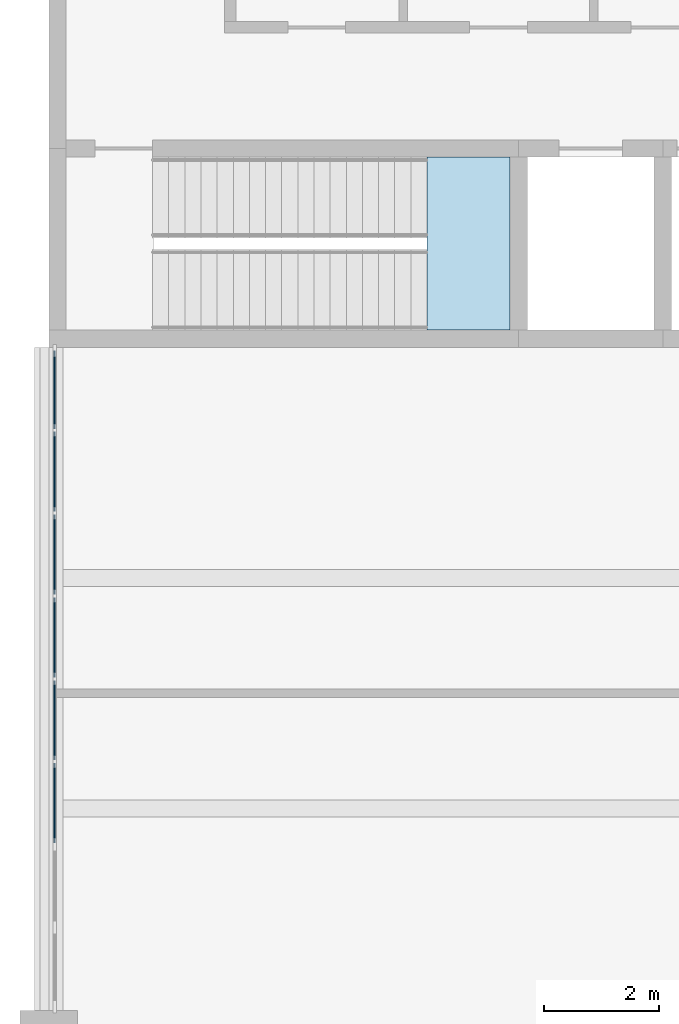
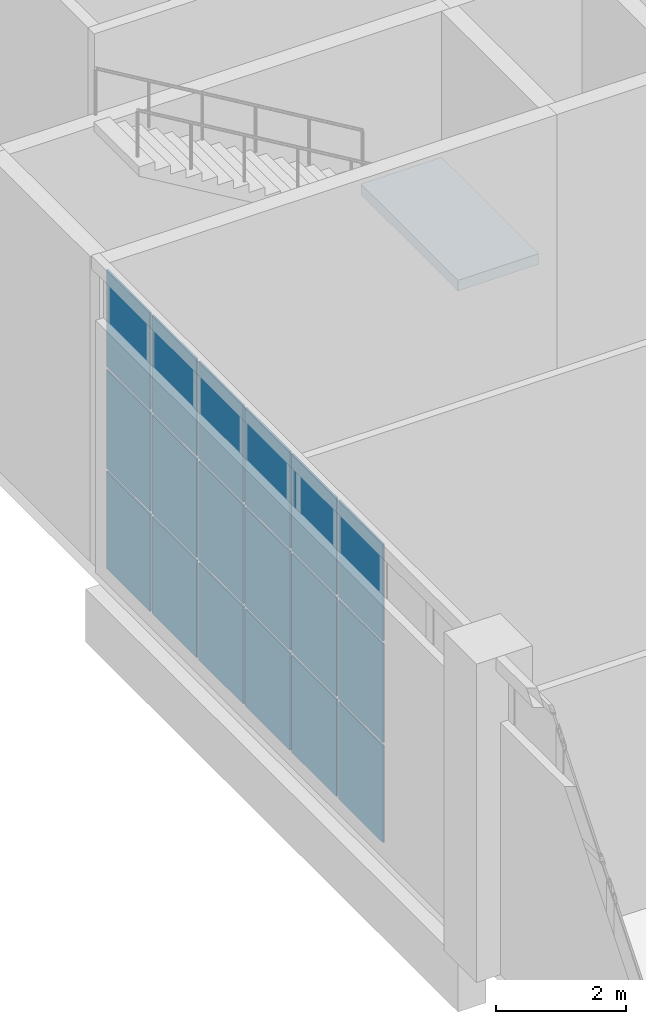
# One storey, part 43 of 72: 18 plates, 1 slab, 2 elements without a shape of their own.
"""IFC4 building model written with IfcOpenShell, lengths in metres."""

from ifc_helpers import new_model, si_unit, direction, frame, origin, origin_2d, place, context, subcontext, project, spatial, polyline, rectangle, outline, extrude, material, layer, layer_set, type_object, element, aggregate, save


model = new_model("IFC4")

# Units and contexts
model_context = context("Model", 3, precision=1e-05, world=origin(), true_north=direction((0.0, 1.0)))
body_context = subcontext(model_context, "Body", "Model", "MODEL_VIEW")
ifc_project = project(units=[si_unit("LENGTHUNIT", "METRE"), si_unit("AREAUNIT", "SQUARE_METRE"), si_unit("VOLUMEUNIT", "CUBIC_METRE"), si_unit("PLANEANGLEUNIT", "RADIAN"), si_unit("MASSUNIT", "GRAM", prefix="KILO")], contexts=[model_context])

# Site, building, storey
site_placement = place(None, origin())
site = spatial("IfcSite", under=ifc_project, at=site_placement, CompositionType="ELEMENT")
building_placement = place(site_placement, origin())
building = spatial("IfcBuilding", under=site, at=building_placement, Name="Lilac Gate Convention Centre", CompositionType="ELEMENT")
storey_placement = place(building_placement, frame((0.0, 0.0, 6.0)))
storey = spatial("IfcBuildingStorey", under=building, at=storey_placement, Name="L01", CompositionType="ELEMENT", Elevation=6.0)

# Curtain wall, plates
ifc_material_1 = material(Name="Aluminium framed double glazing", Category="aluminium")
ifc_layer_1 = layer(ifc_material_1, 0.199951171875)
ifc_layer_set_1 = layer_set([ifc_layer_1], Name="Aluminium framed double glazing")
curtain_wall_type = type_object("IfcCurtainWallType", Name="Unitised curtain wall 1500", PredefinedType="NOTDEFINED", material=ifc_layer_set_1)
curtain_wall_placement = place(storey_placement, origin())
curtain_wall = element("IfcCurtainWall", 1, at=curtain_wall_placement, inside=storey, type_object=curtain_wall_type, Name="Curtain wall PW L01 5", PredefinedType="NOTDEFINED")
ifc_material_2 = material(Name="Double glazed unit low emissivity")
ifc_layer_2 = layer(ifc_material_2, 0.028076171875)
ifc_layer_set_2 = layer_set([ifc_layer_2], Name="Double glazed unit low emissivity")
plate_type_1 = type_object("IfcPlateType", Name="Curtain wall glass panel 28", PredefinedType="CURTAIN_PANEL", material=ifc_layer_set_2)
plate_1_placement = place(storey_placement, frame((6.10009765625, 149.266357421875, 1.94677734375), z_axis=(0.0, 0.0, 1.0), x_axis=(0.0, -1.0, 0.0)))
plate_1 = element("IfcPlate", 2, at=plate_1_placement, type_object=plate_type_1, Name="CW panel 1.2", PredefinedType="CURTAIN_PANEL", context=body_context, shape_type="SweptSolid", body=[
    extrude(rectangle(XDim=1.347412109375, YDim=0.028076171875, at=origin_2d()), origin(), (0.0, 0.0, 1.0), 1.856689453125),
])
plate_2_placement = place(storey_placement, frame((6.10009765625, 149.266357421875, 3.86328125), z_axis=(0.0, 0.0, 1.0), x_axis=(0.0, -1.0, 0.0)))
plate_2 = element("IfcPlate", 3, at=plate_2_placement, type_object=plate_type_1, Name="CW panel 1.3", PredefinedType="CURTAIN_PANEL", context=body_context, shape_type="SweptSolid", body=[
    extrude(rectangle(XDim=1.347412109375, YDim=0.028076171875, at=origin_2d()), origin(), (0.0, 0.0, 1.0), 1.82666015625),
])
plate_3_placement = place(storey_placement, frame((6.10009765625, 147.84375, 1.94677734375), z_axis=(0.0, 0.0, 1.0), x_axis=(0.0, -1.0, 0.0)))
plate_3 = element("IfcPlate", 4, at=plate_3_placement, type_object=plate_type_1, Name="CW panel 2.2", PredefinedType="CURTAIN_PANEL", context=body_context, shape_type="SweptSolid", body=[
    extrude(rectangle(XDim=1.37744140625, YDim=0.028076171875, at=origin_2d()), origin(), (0.0, 0.0, 1.0), 1.856689453125),
])
plate_4_placement = place(storey_placement, frame((6.10009765625, 147.84375, 3.86328125), z_axis=(0.0, 0.0, 1.0), x_axis=(0.0, -1.0, 0.0)))
plate_4 = element("IfcPlate", 5, at=plate_4_placement, type_object=plate_type_1, Name="CW panel 2.3", PredefinedType="CURTAIN_PANEL", context=body_context, shape_type="SweptSolid", body=[
    extrude(rectangle(XDim=1.37744140625, YDim=0.028076171875, at=origin_2d()), origin(), (0.0, 0.0, 1.0), 1.82666015625),
])
plate_5_placement = place(storey_placement, frame((6.10009765625, 146.40625, 1.94677734375), z_axis=(0.0, 0.0, 1.0), x_axis=(0.0, -1.0, 0.0)))
plate_5 = element("IfcPlate", 6, at=plate_5_placement, type_object=plate_type_1, Name="CW panel 3.2", PredefinedType="CURTAIN_PANEL", context=body_context, shape_type="SweptSolid", body=[
    extrude(rectangle(XDim=1.37744140625, YDim=0.028076171875, at=origin_2d()), origin(), (0.0, 0.0, 1.0), 1.856689453125),
])
plate_6_placement = place(storey_placement, frame((6.10009765625, 146.40625, 3.86328125), z_axis=(0.0, 0.0, 1.0), x_axis=(0.0, -1.0, 0.0)))
plate_6 = element("IfcPlate", 7, at=plate_6_placement, type_object=plate_type_1, Name="CW panel 3.3", PredefinedType="CURTAIN_PANEL", context=body_context, shape_type="SweptSolid", body=[
    extrude(rectangle(XDim=1.37744140625, YDim=0.028076171875, at=origin_2d()), origin(), (0.0, 0.0, 1.0), 1.82666015625),
])
plate_7_placement = place(storey_placement, frame((6.10009765625, 144.96875, 1.94677734375), z_axis=(0.0, 0.0, 1.0), x_axis=(0.0, -1.0, 0.0)))
plate_7 = element("IfcPlate", 8, at=plate_7_placement, type_object=plate_type_1, Name="CW panel 4.2", PredefinedType="CURTAIN_PANEL", context=body_context, shape_type="SweptSolid", body=[
    extrude(rectangle(XDim=1.37744140625, YDim=0.028076171875, at=origin_2d()), origin(), (0.0, 0.0, 1.0), 1.856689453125),
])
plate_8_placement = place(storey_placement, frame((6.10009765625, 144.96875, 3.86328125), z_axis=(0.0, 0.0, 1.0), x_axis=(0.0, -1.0, 0.0)))
plate_8 = element("IfcPlate", 9, at=plate_8_placement, type_object=plate_type_1, Name="CW panel 4.3", PredefinedType="CURTAIN_PANEL", context=body_context, shape_type="SweptSolid", body=[
    extrude(rectangle(XDim=1.37744140625, YDim=0.028076171875, at=origin_2d()), origin(), (0.0, 0.0, 1.0), 1.82666015625),
])
plate_9_placement = place(storey_placement, frame((6.10009765625, 143.53125, 1.94677734375), z_axis=(0.0, 0.0, 1.0), x_axis=(0.0, -1.0, 0.0)))
plate_9 = element("IfcPlate", 10, at=plate_9_placement, type_object=plate_type_1, Name="CW panel 5.2", PredefinedType="CURTAIN_PANEL", context=body_context, shape_type="SweptSolid", body=[
    extrude(rectangle(XDim=1.37744140625, YDim=0.028076171875, at=origin_2d()), origin(), (0.0, 0.0, 1.0), 1.856689453125),
])
plate_10_placement = place(storey_placement, frame((6.10009765625, 143.53125, 3.86328125), z_axis=(0.0, 0.0, 1.0), x_axis=(0.0, -1.0, 0.0)))
plate_10 = element("IfcPlate", 11, at=plate_10_placement, type_object=plate_type_1, Name="CW panel 5.3", PredefinedType="CURTAIN_PANEL", context=body_context, shape_type="SweptSolid", body=[
    extrude(rectangle(XDim=1.37744140625, YDim=0.028076171875, at=origin_2d()), origin(), (0.0, 0.0, 1.0), 1.82666015625),
])
plate_11_placement = place(storey_placement, frame((6.10009765625, 142.09375, 1.94677734375), z_axis=(0.0, 0.0, 1.0), x_axis=(0.0, -1.0, 0.0)))
plate_11 = element("IfcPlate", 12, at=plate_11_placement, type_object=plate_type_1, Name="CW panel 6.2", PredefinedType="CURTAIN_PANEL", context=body_context, shape_type="SweptSolid", body=[
    extrude(rectangle(XDim=1.37744140625, YDim=0.028076171875, at=origin_2d()), origin(), (0.0, 0.0, 1.0), 1.856689453125),
])
plate_12_placement = place(storey_placement, frame((6.10009765625, 142.09375, 3.86328125), z_axis=(0.0, 0.0, 1.0), x_axis=(0.0, -1.0, 0.0)))
plate_12 = element("IfcPlate", 13, at=plate_12_placement, type_object=plate_type_1, Name="CW panel 6.3", PredefinedType="CURTAIN_PANEL", context=body_context, shape_type="SweptSolid", body=[
    extrude(rectangle(XDim=1.37744140625, YDim=0.028076171875, at=origin_2d()), origin(), (0.0, 0.0, 1.0), 1.82666015625),
])
ifc_material_3 = material(Name="Insulated aluminium spandrel panel", Category="aluminium")
ifc_layer_3 = layer(ifc_material_3, 0.028076171875)
ifc_layer_set_3 = layer_set([ifc_layer_3], Name="Insulated aluminium spandrel panel")
plate_type_2 = type_object("IfcPlateType", Name="Curtain wall spandrel panel 28", PredefinedType="CURTAIN_PANEL", material=ifc_layer_set_3)
plate_13_placement = place(storey_placement, frame((6.10009765625, 149.266357421875, 0.06005859375), z_axis=(0.0, 0.0, 1.0), x_axis=(0.0, -1.0, 0.0)))
plate_13 = element("IfcPlate", 14, at=plate_13_placement, type_object=plate_type_2, Name="CW spandrel 1.1", PredefinedType="CURTAIN_PANEL", context=body_context, shape_type="SweptSolid", body=[
    extrude(rectangle(XDim=1.347412109375, YDim=0.028076171875, at=origin_2d()), origin(), (0.0, 0.0, 1.0), 1.82666015625),
])
plate_14_placement = place(storey_placement, frame((6.10009765625, 147.84375, 0.06005859375), z_axis=(0.0, 0.0, 1.0), x_axis=(0.0, -1.0, 0.0)))
plate_14 = element("IfcPlate", 15, at=plate_14_placement, type_object=plate_type_2, Name="CW spandrel 2.1", PredefinedType="CURTAIN_PANEL", context=body_context, shape_type="SweptSolid", body=[
    extrude(rectangle(XDim=1.37744140625, YDim=0.028076171875, at=origin_2d()), origin(), (0.0, 0.0, 1.0), 1.82666015625),
])
plate_15_placement = place(storey_placement, frame((6.10009765625, 146.40625, 0.06005859375), z_axis=(0.0, 0.0, 1.0), x_axis=(0.0, -1.0, 0.0)))
plate_15 = element("IfcPlate", 16, at=plate_15_placement, type_object=plate_type_2, Name="CW spandrel 3.1", PredefinedType="CURTAIN_PANEL", context=body_context, shape_type="SweptSolid", body=[
    extrude(rectangle(XDim=1.37744140625, YDim=0.028076171875, at=origin_2d()), origin(), (0.0, 0.0, 1.0), 1.82666015625),
])
plate_16_placement = place(storey_placement, frame((6.10009765625, 144.96875, 0.06005859375), z_axis=(0.0, 0.0, 1.0), x_axis=(0.0, -1.0, 0.0)))
plate_16 = element("IfcPlate", 17, at=plate_16_placement, type_object=plate_type_2, Name="CW spandrel 4.1", PredefinedType="CURTAIN_PANEL", context=body_context, shape_type="SweptSolid", body=[
    extrude(rectangle(XDim=1.37744140625, YDim=0.028076171875, at=origin_2d()), origin(), (0.0, 0.0, 1.0), 1.82666015625),
])
plate_17_placement = place(storey_placement, frame((6.10009765625, 143.53125, 0.06005859375), z_axis=(0.0, 0.0, 1.0), x_axis=(0.0, -1.0, 0.0)))
plate_17 = element("IfcPlate", 18, at=plate_17_placement, type_object=plate_type_2, Name="CW spandrel 5.1", PredefinedType="CURTAIN_PANEL", context=body_context, shape_type="SweptSolid", body=[
    extrude(rectangle(XDim=1.37744140625, YDim=0.028076171875, at=origin_2d()), origin(), (0.0, 0.0, 1.0), 1.82666015625),
])
plate_18_placement = place(storey_placement, frame((6.10009765625, 142.09375, 0.06005859375), z_axis=(0.0, 0.0, 1.0), x_axis=(0.0, -1.0, 0.0)))
plate_18 = element("IfcPlate", 19, at=plate_18_placement, type_object=plate_type_2, Name="CW spandrel 6.1", PredefinedType="CURTAIN_PANEL", context=body_context, shape_type="SweptSolid", body=[
    extrude(rectangle(XDim=1.37744140625, YDim=0.028076171875, at=origin_2d()), origin(), (0.0, 0.0, 1.0), 1.82666015625),
])
aggregate(curtain_wall, [plate_13, plate_1, plate_2, plate_14, plate_3, plate_4, plate_15, plate_5, plate_6, plate_16, plate_7, plate_8, plate_17, plate_9, plate_10, plate_18, plate_11, plate_12])

# Stair, slab
ifc_material_4 = material(Name="Concrete C40", Category="concrete")
stair_type = type_object("IfcStairType", Name="Exit stair two flights", PredefinedType="HALF_TURN_STAIR", material=ifc_material_4)
stair_placement = place(storey_placement, origin())
stair = element("IfcStair", 20, at=stair_placement, inside=storey, type_object=stair_type, Name="Exit stair W3A L01 to L02", PredefinedType="HALF_TURN_STAIR")
ifc_layer_4 = layer(ifc_material_4, 0.199951171875)
ifc_layer_set_4 = layer_set([ifc_layer_4], Name="Concrete C40")
slab_type = type_object("IfcSlabType", Name="Stair landing 200 precast", PredefinedType="LANDING", material=ifc_layer_set_4)
slab_placement = place(storey_placement, frame((0.0, 0.0, 2.800048828125)))
slab = element("IfcSlab", 21, at=slab_placement, type_object=slab_type, Name="ST15 landing 1", PredefinedType="LANDING", context=body_context, shape_type="SweptSolid", body=[
    extrude(outline(polyline([(12.56005859375, 150.300048828125), (14.0, 150.300048828125), (14.0, 153.300048828125), (12.56005859375, 153.300048828125), (12.56005859375, 150.300048828125)])), origin(), (0.0, 0.0, 1.0), 0.199951171875),
])
aggregate(stair, [slab])

save(model, "model.ifc")
